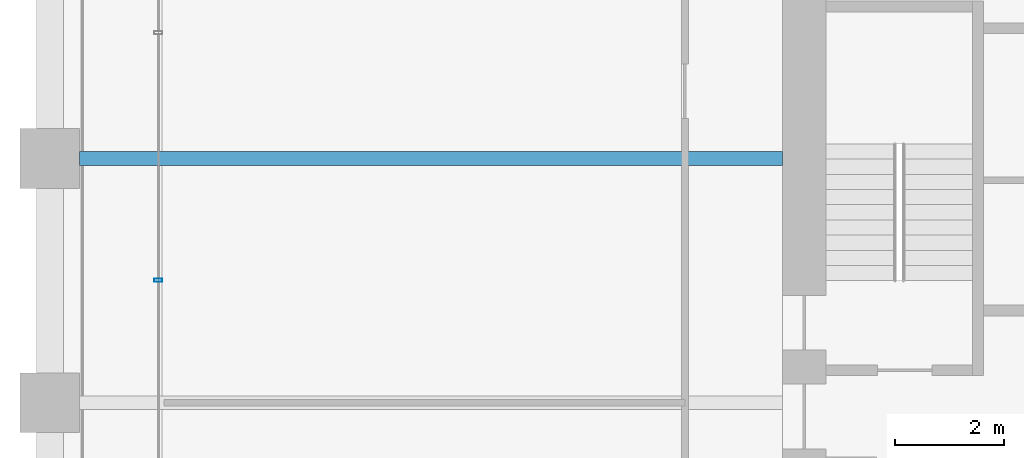
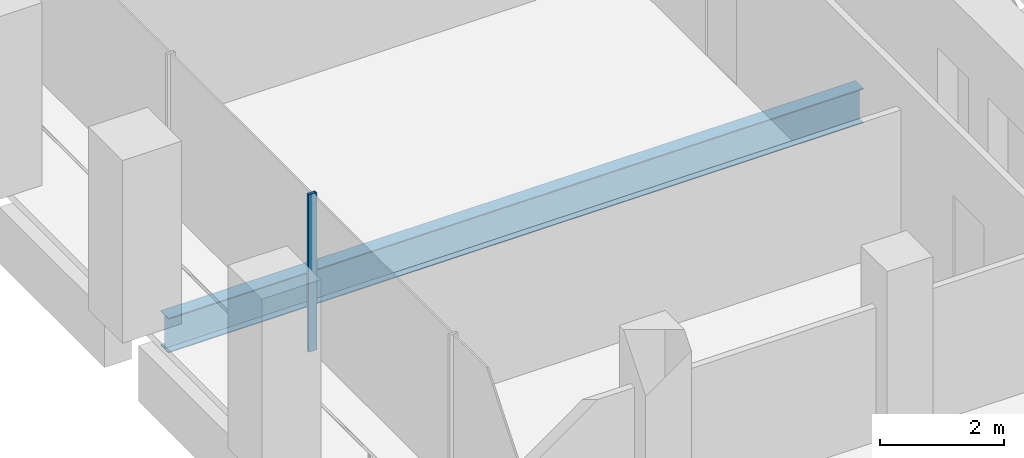
# One storey, part 11 of 56: 1 beam, 1 member, 1 element without a shape of its own.
"""IFC4 building model written with IfcOpenShell, lengths in metres."""

from ifc_helpers import new_model, si_unit, direction, frame, origin, origin_2d, place, context, subcontext, project, spatial, hollow_rectangle, i_section, extrude, material, material_profile, profile_set, type_object, element, aggregate, save


model = new_model("IFC4")

# Units and contexts
model_context = context("Model", 3, precision=1e-05, world=origin(), true_north=direction((0.0, 1.0)))
body_context = subcontext(model_context, "Body", "Model", "MODEL_VIEW")
ifc_project = project(units=[si_unit("LENGTHUNIT", "METRE"), si_unit("AREAUNIT", "SQUARE_METRE"), si_unit("VOLUMEUNIT", "CUBIC_METRE"), si_unit("PLANEANGLEUNIT", "RADIAN"), si_unit("MASSUNIT", "GRAM", prefix="KILO")], contexts=[model_context])

# Site, building, storey
site_placement = place(None, origin())
site = spatial("IfcSite", under=ifc_project, at=site_placement, CompositionType="ELEMENT")
building_placement = place(site_placement, origin())
building = spatial("IfcBuilding", under=site, at=building_placement, Name="Altepetl Exchange Towers", CompositionType="ELEMENT")
storey_placement = place(building_placement, frame((0.0, 0.0, 79.800048828125)))
storey = spatial("IfcBuildingStorey", under=building, at=storey_placement, Name="L19", CompositionType="ELEMENT", Elevation=79.800048828125)

# Beam
ifc_material_1 = material(Name="Steel S355", Category="steel")
ifc_material_profile_1 = material_profile(ifc_material_1, i_section(OverallWidth=0.25390625, OverallDepth=0.68408203125, WebThickness=0.012451171875, FlangeThickness=0.018798828125, at=origin_2d()), Name="W27X94")
ifc_profile_set_1 = profile_set([ifc_material_profile_1], Name="Steel S355")
beam_type = type_object("IfcBeamType", Name="Floor beam W27X94", PredefinedType="BEAM", material=ifc_profile_set_1)
beam_placement = place(storey_placement, frame((27.550048828125, 49.5, -0.491943359375), z_axis=(1.0, 0.0, 0.0), x_axis=(0.0, 1.0, 0.0)))
element("IfcBeam", 1, at=beam_placement, inside=storey, type_object=beam_type, Name="bm:A:L19:019", PredefinedType="BEAM", context=body_context, shape_type="SweptSolid", body=[
    extrude(i_section(OverallWidth=0.25390625, OverallDepth=0.68408203125, WebThickness=0.012451171875, FlangeThickness=0.018798828125, at=origin_2d()), origin(), (0.0, 0.0, 1.0), 12.949951171875),
])

# Curtain wall, member
ifc_material_2 = material(Name="Aluminium 6063-T6 glazing", Category="aluminium")
curtain_wall_type = type_object("IfcCurtainWallType", Name="Loggia glazing system", PredefinedType="NOTDEFINED", material=ifc_material_2)
curtain_wall_placement = place(storey_placement, origin())
curtain_wall = element("IfcCurtainWall", 2, at=curtain_wall_placement, inside=storey, type_object=curtain_wall_type, Name="CW1 run", PredefinedType="NOTDEFINED")
ifc_material_3 = material(Name="Aluminium 6063-T6", Category="aluminium")
ifc_material_profile_2 = material_profile(ifc_material_3, hollow_rectangle(XDim=0.06005859375, YDim=0.14990234375, WallThickness=0.0029296875, at=origin_2d()), Name="Mullion 60x150 aluminium")
ifc_profile_set_2 = profile_set([ifc_material_profile_2], Name="Aluminium 6063-T6")
member_type = type_object("IfcMemberType", Name="Mullion 60x150 aluminium", PredefinedType="MULLION", material=ifc_profile_set_2)
member_placement = place(storey_placement, frame((29.0, 47.257080078125, 0.0), z_axis=(0.0, 0.0, 1.0), x_axis=(0.0, -1.0, 0.0)))
member = element("IfcMember", 3, at=member_placement, type_object=member_type, Name="MU1 mullion", PredefinedType="MULLION", context=body_context, shape_type="SweptSolid", body=[
    extrude(hollow_rectangle(XDim=0.06005859375, YDim=0.14990234375, WallThickness=0.0029296875, at=origin_2d()), origin(), (0.0, 0.0, 1.0), 3.099853515625),
])
aggregate(curtain_wall, [member])

save(model, "model.ifc")
